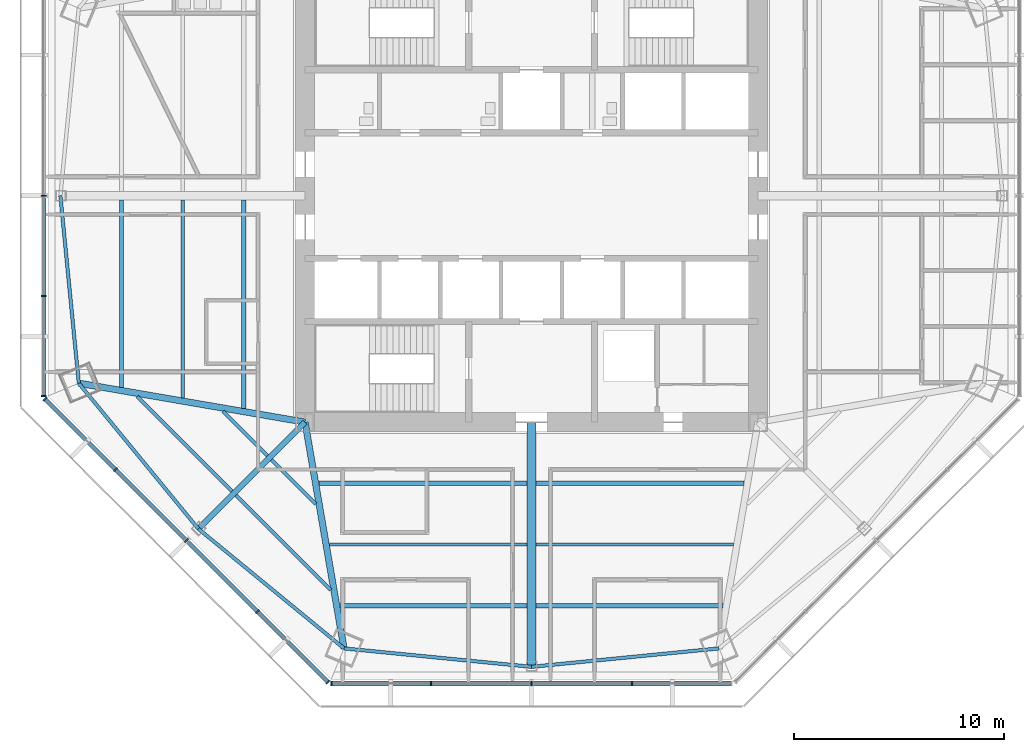
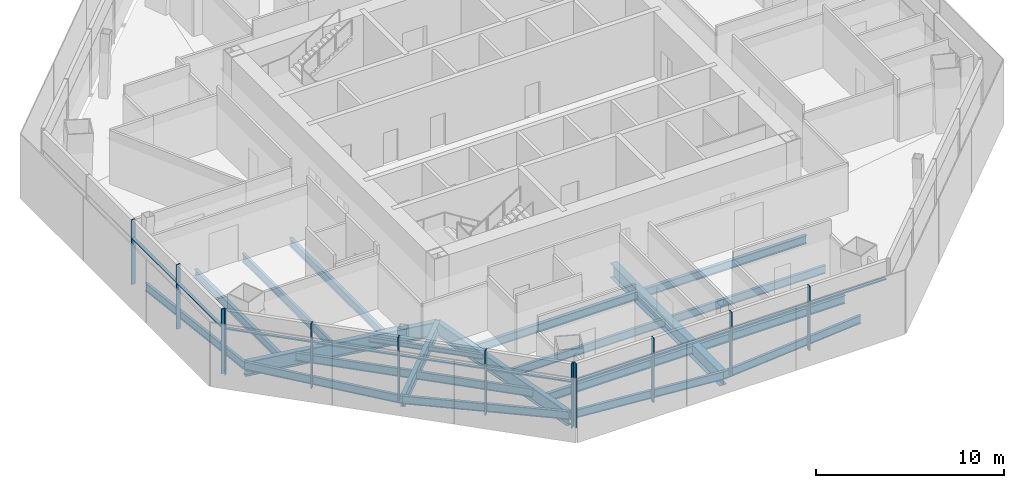
# One storey, part 2 of 15: 22 beams, 22 members, 3 elements without a shape of their own.
"""IFC4 building model written with IfcOpenShell, lengths in metres."""

from ifc_helpers import new_model, si_unit, direction, frame, origin, origin_2d, place, context, subcontext, project, spatial, rectangle, i_section, extrude, source, transform, mapped, material, material_profile, profile_set, type_object, type_shapes, element, aggregate, save


model = new_model("IFC4")

# Units and contexts
model_context = context("Model", 3, precision=1e-05, world=origin(), true_north=direction((0.0, 1.0)))
body_context = subcontext(model_context, "Body", "Model", "MODEL_VIEW")
ifc_project = project(units=[si_unit("LENGTHUNIT", "METRE"), si_unit("AREAUNIT", "SQUARE_METRE"), si_unit("VOLUMEUNIT", "CUBIC_METRE"), si_unit("PLANEANGLEUNIT", "RADIAN"), si_unit("MASSUNIT", "GRAM", prefix="KILO")], contexts=[model_context])

# Site, building, storey
site_placement = place(None, origin())
site = spatial("IfcSite", under=ifc_project, at=site_placement, CompositionType="ELEMENT")
building_placement = place(site_placement, origin())
building = spatial("IfcBuilding", under=site, at=building_placement, Name="Mashrafa Tower", CompositionType="ELEMENT")
storey_placement = place(building_placement, frame((0.0, 0.0, 168.0)))
storey = spatial("IfcBuildingStorey", under=building, at=storey_placement, Name="L38", CompositionType="ELEMENT", Elevation=168.0)

# Beams
ifc_material_1 = material(Name="Steel ASTM A992", Category="steel")
ifc_material_profile_1 = material_profile(ifc_material_1, i_section(OverallWidth=0.164794921875, OverallDepth=0.309814453125, WebThickness=0.005859375, FlangeThickness=0.009765625, FilletRadius=0.007568359375, at=origin_2d()), Name="W12X26")
ifc_profile_set_1 = profile_set([ifc_material_profile_1], Name="Steel ASTM A992")
beam_type_1 = type_object("IfcBeamType", Name="Beam W12X26", PredefinedType="BEAM", material=ifc_profile_set_1)
for number, where, z_axis, x_axis, name in (
    (1, (-12.58984375, -12.401123046875, -0.31982421875), (-0.707147533097, 0.707066026927, 0.0), (-0.707066026927, -0.707147533097, 0.0), "Floor beam L38 011"),
    (2, (-10.283203125, -14.7080078125, -0.31982421875), (-0.707066026927, 0.707147533097, 0.0), (-0.707147533097, -0.707066026927, 0.0), "Floor beam L38 014"),
):
    element("IfcBeam", number, at=place(storey_placement, frame(where, z_axis=z_axis, x_axis=x_axis)), inside=storey, type_object=beam_type_1, Name=name, PredefinedType="BEAM", context=body_context, shape_type="SweptSolid", body=[
        extrude(i_section(OverallWidth=0.164794921875, OverallDepth=0.309814453125, WebThickness=0.005859375, FlangeThickness=0.009765625, FilletRadius=0.007568359375, at=origin_2d()), origin(), (0.0, 0.0, 1.0), 2.995361328125),
    ])
ifc_material_2 = material(Name="Steel ASTM A992", Category="steel")
ifc_material_profile_2 = material_profile(ifc_material_2, i_section(OverallWidth=0.1650390625, OverallDepth=0.52587890625, WebThickness=0.0087890625, FlangeThickness=0.011474609375, FilletRadius=0.0126953125, at=origin_2d()), Name="W21X44")
ifc_profile_set_2 = profile_set([ifc_material_profile_2], Name="Steel ASTM A992")
beam_type_2 = type_object("IfcBeamType", Name="Beam W21X44", PredefinedType="BEAM", material=ifc_profile_set_2)
beam_1_placement = place(storey_placement, frame((-16.63330078125, -9.6396484375, -0.427978515625), z_axis=(0.0, 1.0, 0.0), x_axis=(-1.0, 0.0, 0.0)))
element("IfcBeam", 3, at=beam_1_placement, inside=storey, type_object=beam_type_2, Name="Floor beam L38 004", PredefinedType="BEAM", context=body_context, shape_type="SweptSolid", body=[
    extrude(i_section(OverallWidth=0.1650390625, OverallDepth=0.52587890625, WebThickness=0.0087890625, FlangeThickness=0.011474609375, FilletRadius=0.0126953125, at=origin_2d()), origin(), (0.0, 0.0, 1.0), 9.43017578125),
])
for number, where, z_axis, x_axis, name in (
    (4, (-14.285400390625, -14.0966796875, -0.427978515625), (-0.707087679743, 0.707125882114, 0.0), (-0.707125882114, -0.707087679743, 0.0), "Floor beam L38 007"),
    (5, (-9.57763671875, -18.80419921875, -0.427978515625), (-0.707125882114, 0.707087679743, 0.0), (-0.707087679743, -0.707125882114, 0.0), "Floor beam L38 016"),
):
    element("IfcBeam", number, at=place(storey_placement, frame(where, z_axis=z_axis, x_axis=x_axis)), inside=storey, type_object=beam_type_2, Name=name, PredefinedType="BEAM", context=body_context, shape_type="SweptSolid", body=[
        extrude(i_section(OverallWidth=0.1650390625, OverallDepth=0.52587890625, WebThickness=0.0087890625, FlangeThickness=0.011474609375, FilletRadius=0.0126953125, at=origin_2d()), origin(), (0.0, 0.0, 1.0), 6.390625),
    ])
for number, where, z_axis, x_axis, name in (
    (6, (-0.20947265625, -16.63330078125, -0.427978515625), (-1.0, 0.0, 0.0), (0.0, -1.0, 0.0), "Floor beam L38 019"),
    (7, (9.6396484375, -16.63330078125, -0.427978515625), (-1.0, 0.0, 0.0), (0.0, -1.0, 0.0), "Floor beam L38 026"),
):
    element("IfcBeam", number, at=place(storey_placement, frame(where, z_axis=z_axis, x_axis=x_axis)), inside=storey, type_object=beam_type_2, Name=name, PredefinedType="BEAM", context=body_context, shape_type="SweptSolid", body=[
        extrude(i_section(OverallWidth=0.1650390625, OverallDepth=0.52587890625, WebThickness=0.0087890625, FlangeThickness=0.011474609375, FilletRadius=0.0126953125, at=origin_2d()), origin(), (0.0, 0.0, 1.0), 9.43017578125),
    ])
for number, where, z_axis, x_axis, name in (
    (8, (-22.466796875, 0.0, -0.427978515625), (0.097733423294, -0.995212629528, 0.0), (0.995212629528, 0.097733423294, 0.0), "Spandrel beam L38 057"),
    (9, (-21.588623046875, -8.9423828125, -0.427978515625), (0.634611360112, -0.772831431566, 0.0), (0.772831431566, 0.634611360112, 0.0), "Spandrel beam L38 058"),
    (10, (-15.886474609375, -15.886474609375, -0.427978515625), (0.772831431566, -0.634611360112, 0.0), (0.634611360112, 0.772831431566, 0.0), "Spandrel beam L38 060"),
    (11, (-8.9423828125, -21.588623046875, -0.427978515625), (0.995212629528, -0.097733423294, 0.0), (0.097733423294, 0.995212629528, 0.0), "Spandrel beam L38 062"),
    (12, (0.0, -22.466796875, -0.427978515625), (0.995212629528, 0.097733423294, 0.0), (-0.097733423294, 0.995212629528, 0.0), "Spandrel beam L38 064"),
):
    element("IfcBeam", number, at=place(storey_placement, frame(where, z_axis=z_axis, x_axis=x_axis)), inside=storey, type_object=beam_type_2, Name=name, PredefinedType="BEAM", context=body_context, shape_type="SweptSolid", body=[
        extrude(i_section(OverallWidth=0.1650390625, OverallDepth=0.52587890625, WebThickness=0.0087890625, FlangeThickness=0.011474609375, FilletRadius=0.0126953125, at=origin_2d()), origin(), (0.0, 0.0, 1.0), 8.9853515625),
    ])
ifc_material_3 = material(Name="Steel ASTM A992", Category="steel")
ifc_material_profile_3 = material_profile(ifc_material_3, i_section(OverallWidth=0.209228515625, OverallDepth=0.533447265625, WebThickness=0.01025390625, FlangeThickness=0.015625, FilletRadius=0.012939453125, at=origin_2d()), Name="W21X62")
ifc_profile_set_3 = profile_set([ifc_material_profile_3], Name="Steel ASTM A992")
beam_type_3 = type_object("IfcBeamType", Name="Beam W21X62", PredefinedType="BEAM", material=ifc_profile_set_3)
beam_2_placement = place(storey_placement, frame((-19.55029296875, -9.137451171875, -0.431640625), z_axis=(0.0, 1.0, 0.0), x_axis=(-1.0, 0.0, 0.0)))
element("IfcBeam", 13, at=beam_2_placement, inside=storey, type_object=beam_type_3, Name="Floor beam L38 001", PredefinedType="BEAM", context=body_context, shape_type="SweptSolid", body=[
    extrude(i_section(OverallWidth=0.209228515625, OverallDepth=0.533447265625, WebThickness=0.01025390625, FlangeThickness=0.015625, FilletRadius=0.012939453125, at=origin_2d()), origin(), (0.0, 0.0, 1.0), 8.927978515625),
])
beam_3_placement = place(storey_placement, frame((-13.716796875, -10.141845703125, -0.431640625), z_axis=(0.0, 1.0, 0.0), x_axis=(-1.0, 0.0, 0.0)))
element("IfcBeam", 14, at=beam_3_placement, inside=storey, type_object=beam_type_3, Name="Floor beam L38 009", PredefinedType="BEAM", context=body_context, shape_type="SweptSolid", body=[
    extrude(i_section(OverallWidth=0.209228515625, OverallDepth=0.533447265625, WebThickness=0.01025390625, FlangeThickness=0.015625, FilletRadius=0.012939453125, at=origin_2d()), origin(), (0.0, 0.0, 1.0), 9.932373046875),
])
beam_4_placement = place(storey_placement, frame((-0.20947265625, -19.55029296875, -0.431640625), z_axis=(-1.0, 0.0, 0.0), x_axis=(0.0, -1.0, 0.0)))
element("IfcBeam", 15, at=beam_4_placement, inside=storey, type_object=beam_type_3, Name="Floor beam L38 018", PredefinedType="BEAM", context=body_context, shape_type="SweptSolid", body=[
    extrude(i_section(OverallWidth=0.209228515625, OverallDepth=0.533447265625, WebThickness=0.01025390625, FlangeThickness=0.015625, FilletRadius=0.012939453125, at=origin_2d()), origin(), (0.0, 0.0, 1.0), 8.927978515625),
])
beam_5_placement = place(storey_placement, frame((-0.20947265625, -13.716796875, -0.431640625), z_axis=(-1.0, 0.0, 0.0), x_axis=(0.0, -1.0, 0.0)))
element("IfcBeam", 16, at=beam_5_placement, inside=storey, type_object=beam_type_3, Name="Floor beam L38 020", PredefinedType="BEAM", context=body_context, shape_type="SweptSolid", body=[
    extrude(i_section(OverallWidth=0.209228515625, OverallDepth=0.533447265625, WebThickness=0.01025390625, FlangeThickness=0.015625, FilletRadius=0.012939453125, at=origin_2d()), origin(), (0.0, 0.0, 1.0), 9.932373046875),
])
beam_6_placement = place(storey_placement, frame((9.137451171875, -19.55029296875, -0.431640625), z_axis=(-1.0, 0.0, 0.0), x_axis=(0.0, -1.0, 0.0)))
element("IfcBeam", 17, at=beam_6_placement, inside=storey, type_object=beam_type_3, Name="Floor beam L38 024", PredefinedType="BEAM", context=body_context, shape_type="SweptSolid", body=[
    extrude(i_section(OverallWidth=0.209228515625, OverallDepth=0.533447265625, WebThickness=0.01025390625, FlangeThickness=0.015625, FilletRadius=0.012939453125, at=origin_2d()), origin(), (0.0, 0.0, 1.0), 8.927978515625),
])
beam_7_placement = place(storey_placement, frame((10.141845703125, -13.716796875, -0.431640625), z_axis=(-1.0, 0.0, 0.0), x_axis=(0.0, -1.0, 0.0)))
element("IfcBeam", 18, at=beam_7_placement, inside=storey, type_object=beam_type_3, Name="Floor beam L38 028", PredefinedType="BEAM", context=body_context, shape_type="SweptSolid", body=[
    extrude(i_section(OverallWidth=0.209228515625, OverallDepth=0.533447265625, WebThickness=0.01025390625, FlangeThickness=0.015625, FilletRadius=0.012939453125, at=origin_2d()), origin(), (0.0, 0.0, 1.0), 9.932373046875),
])
ifc_material_4 = material(Name="Steel ASTM A992", Category="steel")
ifc_material_profile_4 = material_profile(ifc_material_4, i_section(OverallWidth=0.2666015625, OverallDepth=0.75439453125, WebThickness=0.01318359375, FlangeThickness=0.01708984375, FilletRadius=0.0166015625, at=origin_2d()), Name="W30X99")
ifc_profile_set_4 = profile_set([ifc_material_profile_4], Name="Steel ASTM A992")
beam_type_4 = type_object("IfcBeamType", Name="Beam W30X99", PredefinedType="BEAM", material=ifc_profile_set_4)
beam_8_placement = place(storey_placement, frame((-10.800048828125, -10.800048828125, -0.542236328125), z_axis=(-0.707106781187, -0.707106781187, 0.0), x_axis=(0.707106781187, -0.707106781187, 0.0)))
element("IfcBeam", 19, at=beam_8_placement, inside=storey, type_object=beam_type_4, Name="Radial girder L38 042", PredefinedType="BEAM", context=body_context, shape_type="SweptSolid", body=[
    extrude(i_section(OverallWidth=0.2666015625, OverallDepth=0.75439453125, WebThickness=0.01318359375, FlangeThickness=0.01708984375, FilletRadius=0.0166015625, at=origin_2d()), origin(), (0.0, 0.0, 1.0), 7.193359375),
])
ifc_material_5 = material(Name="Steel ASTM A992", Category="steel")
ifc_material_profile_5 = material_profile(ifc_material_5, i_section(OverallWidth=0.307373046875, OverallDepth=0.927001953125, WebThickness=0.01953125, FlangeThickness=0.031982421875, FilletRadius=0.01904296875, at=origin_2d()), Name="W36X194")
ifc_profile_set_5 = profile_set([ifc_material_profile_5], Name="Steel ASTM A992")
beam_type_5 = type_object("IfcBeamType", Name="Beam W36X194", PredefinedType="BEAM", material=ifc_profile_set_5)
for number, where, z_axis, x_axis, name in (
    (20, (-10.800048828125, -10.800048828125, -0.628662109375), (-0.985497303971, 0.169691083637, 0.0), (-0.169691083637, -0.985497303971, 0.0), "Radial girder L38 041"),
    (21, (-10.800048828125, -10.800048828125, -0.628662109375), (0.169691083637, -0.985497303971, 0.0), (0.985497303971, 0.169691083637, 0.0), "Radial girder L38 043"),
):
    element("IfcBeam", number, at=place(storey_placement, frame(where, z_axis=z_axis, x_axis=x_axis)), inside=storey, type_object=beam_type_5, Name=name, PredefinedType="BEAM", context=body_context, shape_type="SweptSolid", body=[
        extrude(i_section(OverallWidth=0.307373046875, OverallDepth=0.927001953125, WebThickness=0.01953125, FlangeThickness=0.031982421875, FilletRadius=0.01904296875, at=origin_2d()), origin(), (0.0, 0.0, 1.0), 10.947265625),
    ])
ifc_material_6 = material(Name="Steel ASTM A992", Category="steel")
ifc_material_profile_6 = material_profile(ifc_material_6, i_section(OverallWidth=0.419189453125, OverallDepth=0.927001953125, WebThickness=0.019287109375, FlangeThickness=0.031982421875, FilletRadius=0.020263671875, at=origin_2d()), Name="W36X231")
ifc_profile_set_6 = profile_set([ifc_material_profile_6], Name="Steel ASTM A992")
beam_type_6 = type_object("IfcBeamType", Name="Beam W36X231", PredefinedType="BEAM", material=ifc_profile_set_6)
beam_9_placement = place(storey_placement, frame((0.0, -10.800048828125, -0.628662109375), z_axis=(0.0, -1.0, 0.0), x_axis=(1.0, 0.0, 0.0)))
element("IfcBeam", 22, at=beam_9_placement, inside=storey, type_object=beam_type_6, Name="Radial girder L38 048", PredefinedType="BEAM", context=body_context, shape_type="SweptSolid", body=[
    extrude(i_section(OverallWidth=0.419189453125, OverallDepth=0.927001953125, WebThickness=0.019287109375, FlangeThickness=0.031982421875, FilletRadius=0.020263671875, at=origin_2d()), origin(), (0.0, 0.0, 1.0), 11.666748046875),
])

# Curtain wall, members
ifc_material_7 = material(Name="Unitised aluminium curtain wall", Category="aluminium")
curtain_wall_type = type_object("IfcCurtainWallType", Name="Office curtain wall, zone 2 CW-B 225 deep", PredefinedType="NOTDEFINED", material=ifc_material_7)
curtain_wall_1_placement = place(storey_placement, origin())
curtain_wall_1 = element("IfcCurtainWall", 23, at=curtain_wall_1_placement, inside=storey, type_object=curtain_wall_type, Name="Office curtain wall, zone 2 L38 west", PredefinedType="NOTDEFINED")
ifc_material_8 = material(Name="Extruded aluminium mullion", Category="aluminium")
ifc_material_profile_7 = material_profile(ifc_material_8, rectangle(XDim=0.22509765625, YDim=0.06494140625, at=origin_2d()), Name="Mullion 65x225")
ifc_profile_set_7 = profile_set([ifc_material_profile_7], Name="Extruded aluminium mullion")
member_type_1 = type_object("IfcMemberType", Name="Mullion CW-B 65 x 225", PredefinedType="MULLION", material=ifc_profile_set_7)
shared_shape_1 = source(origin(), body_context, "Body", "SweptSolid", [
    extrude(rectangle(XDim=0.22509765625, YDim=0.06494140625, at=origin_2d()), origin(), (0.0, 0.0, 1.0), 4.199951171875),
])
type_shapes(member_type_1, [shared_shape_1])
member_1_placement = place(storey_placement, frame((-23.26220703125, 0.0, 0.0), z_axis=(0.0, 0.0, 1.0), x_axis=(1.0, 0.0, 0.0)))
member_1 = element("IfcMember", 24, at=member_1_placement, type_object=member_type_1, Name="CW-B mullion 3", PredefinedType="MULLION", context=body_context, shape_type="MappedRepresentation", body=[
    mapped(shared_shape_1, transform((0.0, 0.0, 0.0))),
])
member_2_placement = place(storey_placement, frame((-23.26220703125, -4.78955078125, 0.0), z_axis=(0.0, 0.0, 1.0), x_axis=(1.0, 0.0, 0.0)))
member_2 = element("IfcMember", 25, at=member_2_placement, type_object=member_type_1, Name="CW-B mullion 4", PredefinedType="MULLION", context=body_context, shape_type="MappedRepresentation", body=[
    mapped(shared_shape_1, transform((0.0, 0.0, 0.0))),
])
member_3_placement = place(storey_placement, frame((-23.26220703125, -9.54638671875, 0.0), z_axis=(0.0, 0.0, 1.0), x_axis=(1.0, 0.0, 0.0)))
member_3 = element("IfcMember", 26, at=member_3_placement, type_object=member_type_1, Name="CW-B mullion 5", PredefinedType="MULLION", context=body_context, shape_type="MappedRepresentation", body=[
    mapped(shared_shape_1, transform((0.0, 0.0, 0.0))),
])

curtain_wall_2_placement = place(storey_placement, origin())
curtain_wall_2 = element("IfcCurtainWall", 27, at=curtain_wall_2_placement, inside=storey, type_object=curtain_wall_type, Name="Office curtain wall, zone 2 L38 south-west", PredefinedType="NOTDEFINED")
member_4_placement = place(storey_placement, frame((-23.19921875, -9.698486328125, 0.0), z_axis=(0.0, 0.0, 1.0), x_axis=(0.707106781187, 0.707106781187, 0.0)))
member_4 = element("IfcMember", 28, at=member_4_placement, type_object=member_type_1, Name="CW-B mullion 1", PredefinedType="MULLION", context=body_context, shape_type="MappedRepresentation", body=[
    mapped(shared_shape_1, transform((0.0, 0.0, 0.0))),
])
member_5_placement = place(storey_placement, frame((-19.83544921875, -13.062255859375, 0.0), z_axis=(0.0, 0.0, 1.0), x_axis=(0.707106781187, 0.707106781187, 0.0)))
member_5 = element("IfcMember", 29, at=member_5_placement, type_object=member_type_1, Name="CW-B mullion 2", PredefinedType="MULLION", context=body_context, shape_type="MappedRepresentation", body=[
    mapped(shared_shape_1, transform((0.0, 0.0, 0.0))),
])
member_6_placement = place(storey_placement, frame((-16.448974609375, -16.448974609375, 0.0), z_axis=(0.0, 0.0, 1.0), x_axis=(0.707106781187, 0.707106781187, 0.0)))
member_6 = element("IfcMember", 30, at=member_6_placement, type_object=member_type_1, Name="CW-B mullion 3", PredefinedType="MULLION", context=body_context, shape_type="MappedRepresentation", body=[
    mapped(shared_shape_1, transform((0.0, 0.0, 0.0))),
])
member_7_placement = place(storey_placement, frame((-13.062255859375, -19.83544921875, 0.0), z_axis=(0.0, 0.0, 1.0), x_axis=(0.707106781187, 0.707106781187, 0.0)))
member_7 = element("IfcMember", 31, at=member_7_placement, type_object=member_type_1, Name="CW-B mullion 4", PredefinedType="MULLION", context=body_context, shape_type="MappedRepresentation", body=[
    mapped(shared_shape_1, transform((0.0, 0.0, 0.0))),
])
member_8_placement = place(storey_placement, frame((-9.698486328125, -23.19921875, 0.0), z_axis=(0.0, 0.0, 1.0), x_axis=(0.707106781187, 0.707106781187, 0.0)))
member_8 = element("IfcMember", 32, at=member_8_placement, type_object=member_type_1, Name="CW-B mullion 5", PredefinedType="MULLION", context=body_context, shape_type="MappedRepresentation", body=[
    mapped(shared_shape_1, transform((0.0, 0.0, 0.0))),
])

curtain_wall_3_placement = place(storey_placement, origin())
curtain_wall_3 = element("IfcCurtainWall", 33, at=curtain_wall_3_placement, inside=storey, type_object=curtain_wall_type, Name="Office curtain wall, zone 2 L38 south", PredefinedType="NOTDEFINED")
member_9_placement = place(storey_placement, frame((-9.54638671875, -23.26220703125, 0.0), z_axis=(0.0, 0.0, 1.0), x_axis=(0.0, 1.0, 0.0)))
member_9 = element("IfcMember", 34, at=member_9_placement, type_object=member_type_1, Name="CW-B mullion 1", PredefinedType="MULLION", context=body_context, shape_type="MappedRepresentation", body=[
    mapped(shared_shape_1, transform((0.0, 0.0, 0.0))),
])
member_10_placement = place(storey_placement, frame((-4.78955078125, -23.26220703125, 0.0), z_axis=(0.0, 0.0, 1.0), x_axis=(0.0, 1.0, 0.0)))
member_10 = element("IfcMember", 35, at=member_10_placement, type_object=member_type_1, Name="CW-B mullion 2", PredefinedType="MULLION", context=body_context, shape_type="MappedRepresentation", body=[
    mapped(shared_shape_1, transform((0.0, 0.0, 0.0))),
])
member_11_placement = place(storey_placement, frame((0.0, -23.26220703125, 0.0), z_axis=(0.0, 0.0, 1.0), x_axis=(0.0, 1.0, 0.0)))
member_11 = element("IfcMember", 36, at=member_11_placement, type_object=member_type_1, Name="CW-B mullion 3", PredefinedType="MULLION", context=body_context, shape_type="MappedRepresentation", body=[
    mapped(shared_shape_1, transform((0.0, 0.0, 0.0))),
])
member_12_placement = place(storey_placement, frame((4.78955078125, -23.26220703125, 0.0), z_axis=(0.0, 0.0, 1.0), x_axis=(0.0, 1.0, 0.0)))
member_12 = element("IfcMember", 37, at=member_12_placement, type_object=member_type_1, Name="CW-B mullion 4", PredefinedType="MULLION", context=body_context, shape_type="MappedRepresentation", body=[
    mapped(shared_shape_1, transform((0.0, 0.0, 0.0))),
])

# Member
ifc_material_9 = material(Name="Extruded aluminium transom", Category="aluminium")
ifc_material_profile_8 = material_profile(ifc_material_9, rectangle(XDim=0.179931640625, YDim=0.080078125, at=origin_2d()), Name="Transom 80x180")
ifc_profile_set_8 = profile_set([ifc_material_profile_8], Name="Extruded aluminium transom")
member_type_2 = type_object("IfcMemberType", Name="Transom CW-B 80 x 180", PredefinedType="MULLION", material=ifc_profile_set_8)
shared_shape_2 = source(origin(), body_context, "Body", "SweptSolid", [
    extrude(rectangle(XDim=0.179931640625, YDim=0.080078125, at=origin_2d()), origin(), (0.0, 0.0, 1.0), 4.69189453125),
])
member_13_placement = place(storey_placement, frame((-23.26220703125, -4.822021484375, 3.0), z_axis=(0.0, -1.0, 0.0), x_axis=(1.0, 0.0, 0.0)))
member_13 = element("IfcMember", 38, at=member_13_placement, type_object=member_type_2, Name="CW-B transom 4", PredefinedType="MULLION", context=body_context, shape_type="MappedRepresentation", body=[
    mapped(shared_shape_2, transform((0.0, 0.0, 0.0))),
])

member_14_placement = place(storey_placement, frame((-23.17626953125, -9.721435546875, 3.0), z_axis=(0.707080764049, -0.707132797367, 0.0), x_axis=(0.707132797367, 0.707080764049, 0.0)))
member_14 = element("IfcMember", 39, at=member_14_placement, type_object=member_type_2, Name="CW-B transom 1", PredefinedType="MULLION", context=body_context, shape_type="MappedRepresentation", body=[
    mapped(shared_shape_2, transform((0.0, 0.0, 0.0))),
])

member_15_placement = place(storey_placement, frame((-13.039306640625, -19.858642578125, 3.0), z_axis=(0.707132797367, -0.707080764049, 0.0), x_axis=(0.707080764049, 0.707132797367, 0.0)))
member_15 = element("IfcMember", 40, at=member_15_placement, type_object=member_type_2, Name="CW-B transom 4", PredefinedType="MULLION", context=body_context, shape_type="MappedRepresentation", body=[
    mapped(shared_shape_2, transform((0.0, 0.0, 0.0))),
])

member_16_placement = place(storey_placement, frame((-9.513916015625, -23.26220703125, 3.0), z_axis=(1.0, 0.0, 0.0), x_axis=(0.0, 1.0, 0.0)))
member_16 = element("IfcMember", 41, at=member_16_placement, type_object=member_type_2, Name="CW-B transom 1", PredefinedType="MULLION", context=body_context, shape_type="MappedRepresentation", body=[
    mapped(shared_shape_2, transform((0.0, 0.0, 0.0))),
])

member_17_placement = place(storey_placement, frame((4.822021484375, -23.26220703125, 3.0), z_axis=(1.0, 0.0, 0.0), x_axis=(0.0, 1.0, 0.0)))
member_17 = element("IfcMember", 42, at=member_17_placement, type_object=member_type_2, Name="CW-B transom 4", PredefinedType="MULLION", context=body_context, shape_type="MappedRepresentation", body=[
    mapped(shared_shape_2, transform((0.0, 0.0, 0.0))),
])

shared_shape_3 = source(origin(), body_context, "Body", "SweptSolid", [
    extrude(rectangle(XDim=0.179931640625, YDim=0.080078125, at=origin_2d()), origin(), (0.0, 0.0, 1.0), 4.724609375),
])
member_18_placement = place(storey_placement, frame((-23.26220703125, -0.032470703125, 3.0), z_axis=(0.0, -1.0, 0.0), x_axis=(1.0, 0.0, 0.0)))
member_18 = element("IfcMember", 43, at=member_18_placement, type_object=member_type_2, Name="CW-B transom 3", PredefinedType="MULLION", context=body_context, shape_type="MappedRepresentation", body=[
    mapped(shared_shape_3, transform((0.0, 0.0, 0.0))),
])

aggregate(curtain_wall_1, [member_1, member_2, member_3, member_18, member_13])

member_19_placement = place(storey_placement, frame((-4.757080078125, -23.26220703125, 3.0), z_axis=(1.0, 0.0, 0.0), x_axis=(0.0, 1.0, 0.0)))
member_19 = element("IfcMember", 44, at=member_19_placement, type_object=member_type_2, Name="CW-B transom 2", PredefinedType="MULLION", context=body_context, shape_type="MappedRepresentation", body=[
    mapped(shared_shape_3, transform((0.0, 0.0, 0.0))),
])

member_20_placement = place(storey_placement, frame((0.032470703125, -23.26220703125, 3.0), z_axis=(1.0, 0.0, 0.0), x_axis=(0.0, 1.0, 0.0)))
member_20 = element("IfcMember", 45, at=member_20_placement, type_object=member_type_2, Name="CW-B transom 3", PredefinedType="MULLION", context=body_context, shape_type="MappedRepresentation", body=[
    mapped(shared_shape_3, transform((0.0, 0.0, 0.0))),
])

aggregate(curtain_wall_3, [member_9, member_10, member_11, member_12, member_16, member_19, member_20, member_17])

shared_shape_4 = source(origin(), body_context, "Body", "SweptSolid", [
    extrude(rectangle(XDim=0.179931640625, YDim=0.080078125, at=origin_2d()), origin(), (0.0, 0.0, 1.0), 4.724365234375),
])
type_shapes(member_type_2, [shared_shape_2, shared_shape_3, shared_shape_4])
member_21_placement = place(storey_placement, frame((-19.8125, -13.085205078125, 3.0), z_axis=(0.707080942779, -0.70713261865, 0.0), x_axis=(0.70713261865, 0.707080942779, 0.0)))
member_21 = element("IfcMember", 46, at=member_21_placement, type_object=member_type_2, Name="CW-B transom 2", PredefinedType="MULLION", context=body_context, shape_type="MappedRepresentation", body=[
    mapped(shared_shape_4, transform((0.0, 0.0, 0.0))),
])

member_22_placement = place(storey_placement, frame((-16.426025390625, -16.471923828125, 3.0), z_axis=(0.70713261865, -0.707080942779, 0.0), x_axis=(0.707080942779, 0.70713261865, 0.0)))
member_22 = element("IfcMember", 47, at=member_22_placement, type_object=member_type_2, Name="CW-B transom 3", PredefinedType="MULLION", context=body_context, shape_type="MappedRepresentation", body=[
    mapped(shared_shape_4, transform((0.0, 0.0, 0.0))),
])

aggregate(curtain_wall_2, [member_4, member_5, member_6, member_7, member_8, member_14, member_21, member_22, member_15])

save(model, "model.ifc")
